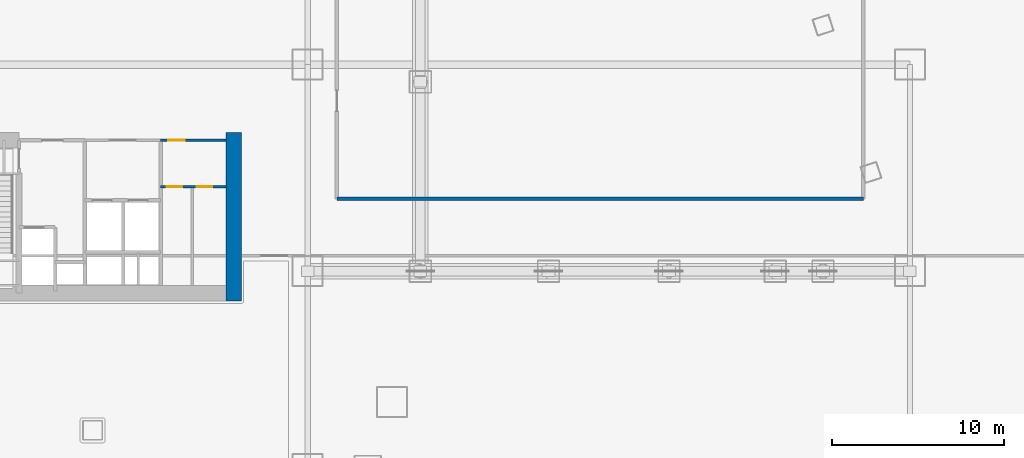
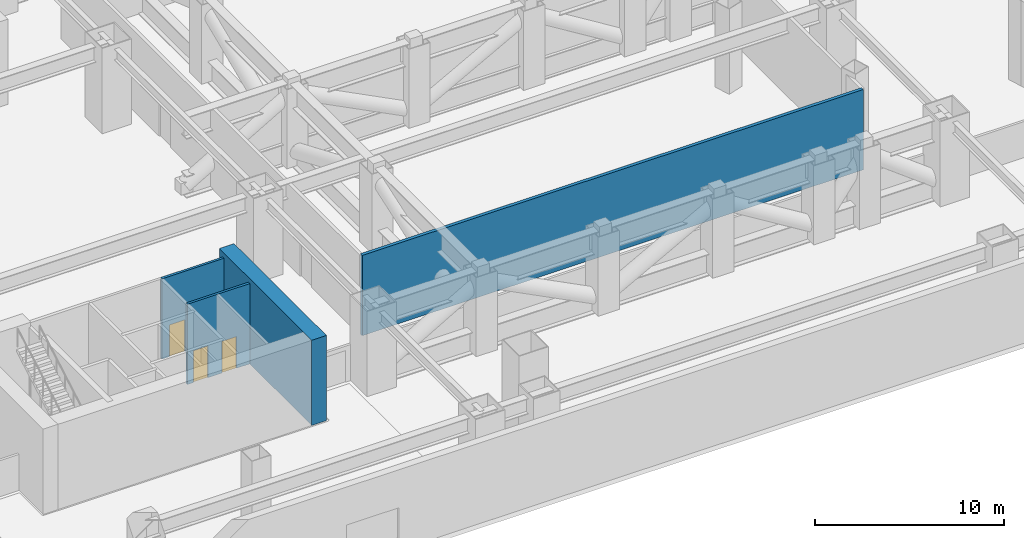
# One storey, part 25 of 34: 4 walls, 3 doors, 3 openings.
"""IFC4 building model written with IfcOpenShell, lengths in metres."""

import ifcopenshell
import ifcopenshell.guid

model = None  # the IFC model being written
_history = None  # IfcOwnerHistory: only IFC2X3 demands one
_inside = {}  # id of a spatial element -> (the spatial element, [elements in it])
_under = {}  # id of a project, library or spatial element -> (it, [spatial elements below it])
_declared = {}  # id of a project -> (the project, [libraries it declares])
_typed = {}  # id of a type object -> (the type object, [elements of that type])
_made_of = {}  # id of a material, layer set ... -> (it, [elements and type objects made of it])


def new_model(schema):
    """Start an empty IFC model of exactly this schema.

    Asked for "IFC4X3", IfcOpenShell would pick the latest addendum, in which some entities
    have other attributes; the version numbers below select the first issue.
    IFC2X3 requires an IfcOwnerHistory on every rooted entity: one is made here for all.
    """
    global model, _history
    if schema == "IFC4X3":
        model = ifcopenshell.file(schema_version=(4, 3, 0, 0))
    else:
        model = ifcopenshell.file(schema=schema)
    _inside.clear()
    _under.clear()
    _declared.clear()
    _typed.clear()
    _made_of.clear()
    _history = None
    if model.schema == "IFC2X3":
        org = make("IfcOrganization", Name="unknown")
        user = make(
            "IfcPersonAndOrganization",
            ThePerson=make("IfcPerson", FamilyName="unknown"),
            TheOrganization=org,
        )
        app = make(
            "IfcApplication",
            ApplicationDeveloper=org,
            Version="unknown",
            ApplicationFullName="unknown",
            ApplicationIdentifier="unknown",
        )
        _history = make(
            "IfcOwnerHistory",
            OwningUser=user,
            OwningApplication=app,
            ChangeAction="ADDED",
            CreationDate=0,
        )
    return model


def make(cls, **values):
    """One entity of the class cls with the attributes given. An attribute that is None is left unset."""
    return model.create_entity(
        cls, **{name: value for name, value in values.items() if value is not None}
    )


def rooted(cls, **values):
    """An entity with a GlobalId (a new one), such as an element, a storey or a relation."""
    return make(cls, GlobalId=ifcopenshell.guid.new(), OwnerHistory=_history, **values)


def si_unit(unit_type, name, prefix=None):
    """IfcSIUnit, for example si_unit("LENGTHUNIT", "METRE", prefix="MILLI")."""
    return make("IfcSIUnit", UnitType=unit_type, Prefix=prefix, Name=name)


def assignment(units):
    """IfcUnitAssignment: the units of a project."""
    return None if units is None else make("IfcUnitAssignment", Units=units)


def point(xyz):
    """IfcCartesianPoint."""
    return None if xyz is None else make("IfcCartesianPoint", Coordinates=xyz)


def direction(xyz):
    """IfcDirection."""
    return None if xyz is None else make("IfcDirection", DirectionRatios=xyz)


def frame(location, z_axis=None, x_axis=None):
    """IfcAxis2Placement3D, a coordinate frame: its origin and axes. An axis left out is left unset."""
    return make(
        "IfcAxis2Placement3D",
        Location=point(location),
        Axis=direction(z_axis),
        RefDirection=direction(x_axis),
    )


def frame_2d(location, x_axis=None):
    """IfcAxis2Placement2D, a coordinate frame in the plane: its origin and x axis."""
    return make(
        "IfcAxis2Placement2D", Location=point(location), RefDirection=direction(x_axis)
    )


def origin():
    """The frame at (0, 0, 0) with its axes left unset."""
    return frame((0.0, 0.0, 0.0))


def place(relative_to, where):
    """IfcLocalPlacement: puts the frame where relative to a parent placement (None: the world)."""
    return make(
        "IfcLocalPlacement", PlacementRelTo=relative_to, RelativePlacement=where
    )


def context(
    kind, dimensions, precision=None, world=None, true_north=None, identifier=None
):
    """IfcGeometricRepresentationContext, for example the 3D "Model" context."""
    return make(
        "IfcGeometricRepresentationContext",
        ContextIdentifier=identifier,
        ContextType=kind,
        CoordinateSpaceDimension=dimensions,
        Precision=precision,
        WorldCoordinateSystem=world,
        TrueNorth=true_north,
    )


def subcontext(parent, identifier, kind, view, scale=None):
    """IfcGeometricRepresentationSubContext, for example "Body" below "Model"."""
    return make(
        "IfcGeometricRepresentationSubContext",
        ContextIdentifier=identifier,
        ContextType=kind,
        ParentContext=parent,
        TargetScale=scale,
        TargetView=view,
    )


def project(units=None, contexts=None):
    """IfcProject with its units and contexts."""
    return rooted(
        "IfcProject",
        Name="project",
        RepresentationContexts=contexts,
        UnitsInContext=assignment(units),
    )


def spatial(cls, under=None, at=None, **own):
    """A site, building, storey or space (cls), placed at a placement, below another one or the project."""
    s = rooted(cls, ObjectPlacement=at, **own)
    if under is not None:
        _under.setdefault(under.id(), (under, []))[1].append(s)
    return s


def profile(cls, at=None, kind="AREA", **sizes):
    """A parametric profile (cls). Its sizes go by their IFC names, for example OverallWidth=200.0."""
    return make(cls, ProfileType=kind, Position=at, **sizes)


def rectangle(**sizes):
    """IfcRectangleProfileDef."""
    return profile("IfcRectangleProfileDef", **sizes)


def extrude(swept, where, along, depth):
    """IfcExtrudedAreaSolid: the profile swept, set in the frame where, extruded along a direction by depth."""
    return make(
        "IfcExtrudedAreaSolid",
        SweptArea=swept,
        Position=where,
        ExtrudedDirection=direction(along),
        Depth=depth,
    )


def shape(context_of_items, identifier, shape_type, items):
    """IfcShapeRepresentation: the items that make up one representation, for example the "Body"."""
    return make(
        "IfcShapeRepresentation",
        ContextOfItems=context_of_items,
        RepresentationIdentifier=identifier,
        RepresentationType=shape_type,
        Items=items,
    )


def material(Name=None, Category=None):
    """IfcMaterial."""
    return make("IfcMaterial", Name=Name, Category=Category)


def layer(
    of_material, thickness, ventilated=None, Name=None, Category=None, Priority=None
):
    """IfcMaterialLayer: one layer of a wall or slab, of a material (None: an air gap)."""
    return make(
        "IfcMaterialLayer",
        Material=of_material,
        LayerThickness=thickness,
        IsVentilated=ventilated,
        Name=Name,
        Category=Category,
        Priority=Priority,
    )


def layer_set(layers, Name=None):
    """IfcMaterialLayerSet."""
    return make("IfcMaterialLayerSet", MaterialLayers=layers, LayerSetName=Name)


def made_of(thing, what):
    """Note that an element or type object is made of a material, layer set ...; save() writes the relation."""
    if what is not None:
        _made_of.setdefault(what.id(), (what, []))[1].append(thing)
    return thing


def type_object(cls, material=None, **own):
    """A type object (cls), such as IfcWallType, which elements share."""
    return made_of(rooted(cls, **own), material)


def element(
    cls,
    number,
    at=None,
    inside=None,
    cuts=None,
    type_object=None,
    material=None,
    context=None,
    identifier="Body",
    shape_type=None,
    held_by="IfcProductDefinitionShape",
    body=None,
    shapes=None,
    **own,
):
    """One element of the class cls, such as IfcWall. Its Tag is "e" and its number.

    at: its placement. inside: the storey or other place that contains it. cuts: it is an
    opening in that element (IfcRelVoidsElement). A single representation is given by context,
    identifier, shape_type and body (its items); several are given by shapes. held_by: the class
    of the entity that holds the representations. save() writes the other relations.
    """
    e = rooted(cls, Tag="e%d" % number, ObjectPlacement=at, **own)
    if body is not None:
        shapes = [shape(context, identifier, shape_type, body)]
    if shapes is not None:
        e.Representation = make(held_by, Representations=shapes)
    if inside is not None:
        _inside.setdefault(inside.id(), (inside, []))[1].append(e)
    if cuts is not None:
        rooted(
            "IfcRelVoidsElement", RelatingBuildingElement=cuts, RelatedOpeningElement=e
        )
    if type_object is not None:
        _typed.setdefault(type_object.id(), (type_object, []))[1].append(e)
    return made_of(e, material)


def fill(opening, filler):
    """IfcRelFillsElement: the door or window that sits in an opening."""
    return rooted(
        "IfcRelFillsElement",
        RelatingOpeningElement=opening,
        RelatedBuildingElement=filler,
    )


def aggregate(whole, parts):
    """IfcRelAggregates: a whole, such as a stair, and the parts it consists of."""
    return rooted("IfcRelAggregates", RelatingObject=whole, RelatedObjects=parts)


def save(model, path):
    """Write the relations noted so far, then the file.

    IfcRelAggregates (storeys below a building ...), IfcRelContainedInSpatialStructure (elements
    in a storey), IfcRelDefinesByType, IfcRelAssociatesMaterial and IfcRelDeclares: one each for
    every whole, place, type object, material and project.
    """
    for whole, parts in _under.values():
        aggregate(whole, parts)
    for where, things in _inside.values():
        rooted(
            "IfcRelContainedInSpatialStructure",
            RelatedElements=things,
            RelatingStructure=where,
        )
    for kind, things in _typed.values():
        rooted("IfcRelDefinesByType", RelatedObjects=things, RelatingType=kind)
    for what, things in _made_of.values():
        rooted("IfcRelAssociatesMaterial", RelatedObjects=things, RelatingMaterial=what)
    for by, libraries in _declared.values():
        rooted("IfcRelDeclares", RelatingContext=by, RelatedDefinitions=libraries)
    model.write(path)


model = new_model("IFC4")

# Units and contexts
model_context = context("Model", 3, precision=1e-05, world=origin(), true_north=direction((0.0, 1.0)))
body_context = subcontext(model_context, "Body", "Model", "MODEL_VIEW")
ifc_project = project(units=[si_unit("LENGTHUNIT", "METRE"), si_unit("AREAUNIT", "SQUARE_METRE"), si_unit("VOLUMEUNIT", "CUBIC_METRE"), si_unit("PLANEANGLEUNIT", "RADIAN"), si_unit("MASSUNIT", "GRAM", prefix="KILO")], contexts=[model_context])

# Site, building, storey
site_placement = place(None, origin())
site = spatial("IfcSite", under=ifc_project, at=site_placement, CompositionType="ELEMENT")
building_placement = place(site_placement, origin())
building = spatial("IfcBuilding", under=site, at=building_placement, Name="Qiaolan Cultural Towers", CompositionType="ELEMENT")
storey_placement = place(building_placement, frame((0.0, 0.0, 16.5)))
storey = spatial("IfcBuildingStorey", under=building, at=storey_placement, Name="L03", CompositionType="ELEMENT", Elevation=16.5)

# Walls
ifc_material_1 = material(Name="Concrete C60", Category="concrete")
ifc_layer_1 = layer(ifc_material_1, 0.89990234375)
ifc_layer_set_1 = layer_set([ifc_layer_1], Name="Concrete C60")
wall_type_1 = type_object("IfcWallType", Name="WL-CORE-900", PredefinedType="SHEAR", material=ifc_layer_set_1)
wall_1_placement = place(storey_placement, frame((38.199951171875, 22.050048828125, 0.0), z_axis=(0.0, 0.0, 1.0), x_axis=(0.0, -1.0, 0.0)))
element("IfcWall", 1, at=wall_1_placement, inside=storey, type_object=wall_type_1, Name="L03 T1-CS East Core Shear Wall", PredefinedType="SHEAR", context=body_context, shape_type="SweptSolid", body=[
    extrude(rectangle(XDim=9.780029296875, YDim=0.89990234375, at=frame_2d((4.89013671875, 0.0))), origin(), (0.0, 0.0, 1.0), 5.5),
])
ifc_material_2 = material(Name="Concrete C35 Fire Wall", Category="concrete")
ifc_layer_2 = layer(ifc_material_2, 0.199951171875)
ifc_layer_set_2 = layer_set([ifc_layer_2], Name="Concrete C35 Fire Wall")
wall_type_2 = type_object("IfcWallType", Name="WL-FIRE-200", PredefinedType="PARTITIONING", material=ifc_layer_set_2)
wall_2_placement = place(storey_placement, frame((44.199951171875, 18.199951171875, 0.0), z_axis=(0.0, 0.0, 1.0), x_axis=(1.0, 0.0, 0.0)))
element("IfcWall", 2, at=wall_2_placement, inside=storey, type_object=wall_type_2, Name="L03 Podium Partition L03-TRS", PredefinedType="PARTITIONING", context=body_context, shape_type="SweptSolid", body=[
    extrude(rectangle(XDim=30.60009765625, YDim=0.199951171875, at=frame_2d((15.300048828125, 0.0))), origin(), (0.0, 0.0, 1.0), 5.18505859375),
])

# Wall, opening, door
ifc_material_3 = material(Name="Autoclaved Aerated Concrete Block B06", Category="concrete")
ifc_layer_3 = layer(ifc_material_3, 0.14990234375)
ifc_layer_set_3 = layer_set([ifc_layer_3], Name="Autoclaved Aerated Concrete Block B06")
wall_type_3 = type_object("IfcWallType", Name="WL-PART-150", PredefinedType="PARTITIONING", material=ifc_layer_set_3)
wall_3_placement = place(storey_placement, frame((33.949951171875, 21.60009765625, 0.0), z_axis=(0.0, 0.0, 1.0), x_axis=(1.0, 0.0, 0.0)))
wall_3 = element("IfcWall", 3, at=wall_3_placement, inside=storey, type_object=wall_type_3, Name="L03 T1-CS Sanitary Core Front Wall", PredefinedType="PARTITIONING", context=body_context, shape_type="SweptSolid", body=[
    extrude(rectangle(XDim=3.800048828125, YDim=0.14990234375, at=frame_2d((1.89990234375, 0.0))), origin(), (0.0, 0.0, 1.0), 5.18505859375),
])
opening_1_placement = place(wall_3_placement, frame((0.449951171875, 0.0, 0.0)))
opening_1 = element("IfcOpeningElement", 4, at=opening_1_placement, cuts=wall_3, Name="Opening ID-05", PredefinedType="OPENING", context=body_context, shape_type="SweptSolid", body=[
    extrude(rectangle(XDim=0.949951171875, YDim=2.050048828125, at=frame_2d((0.47509765625, 1.02490234375))), frame((0.0, 0.0849609375, 0.0), z_axis=(0.0, -1.0, 0.0), x_axis=(1.0, 0.0, 0.0)), (0.0, 0.0, 1.0), 0.169921875),
])
ifc_material_4 = material(Name="Fire-Rated Laminate Accessible Core Door", Category="timber")
door_type_1 = type_object("IfcDoorType", Name="DR-INT-950", OperationType="NOTDEFINED", PredefinedType="DOOR", material=ifc_material_4)
door_1_placement = place(opening_1_placement, origin())
door_1 = element("IfcDoor", 5, at=door_1_placement, inside=storey, type_object=door_type_1, Name="L03 Sanitary Vestibule Door", OperationType="SINGLE_SWING_LEFT", OverallHeight=2.050048828125, OverallWidth=0.949951171875, PredefinedType="DOOR", context=body_context, shape_type="SweptSolid", body=[
    extrude(rectangle(XDim=0.949951171875, YDim=2.050048828125, at=frame_2d((0.47509765625, 1.02490234375))), frame((0.0, 0.02490234375, 0.0), z_axis=(0.0, -1.0, 0.0), x_axis=(1.0, 0.0, 0.0)), (0.0, 0.0, 1.0), 0.050048828125),
])
fill(opening_1, door_1)

# Wall, openings, doors
wall_4_placement = place(storey_placement, frame((33.949951171875, 18.89990234375, 0.0), z_axis=(0.0, 0.0, 1.0), x_axis=(1.0, 0.0, 0.0)))
wall_4 = element("IfcWall", 6, at=wall_4_placement, inside=storey, type_object=wall_type_3, Name="L03 T1-CS Restroom Vestibule Wall", PredefinedType="PARTITIONING", context=body_context, shape_type="SweptSolid", body=[
    extrude(rectangle(XDim=3.800048828125, YDim=0.14990234375, at=frame_2d((1.89990234375, 0.0))), origin(), (0.0, 0.0, 1.0), 5.18505859375),
])
opening_2_placement = place(wall_4_placement, frame((0.35009765625, 0.0, 0.0)))
opening_2 = element("IfcOpeningElement", 7, at=opening_2_placement, cuts=wall_4, Name="Opening ID-06", PredefinedType="OPENING", context=body_context, shape_type="SweptSolid", body=[
    extrude(rectangle(XDim=0.89990234375, YDim=2.050048828125, at=frame_2d((0.449951171875, 1.02490234375))), frame((0.0, 0.0849609375, 0.0), z_axis=(0.0, -1.0, 0.0), x_axis=(1.0, 0.0, 0.0)), (0.0, 0.0, 1.0), 0.169921875),
])
opening_3_placement = place(wall_4_placement, frame((2.10009765625, 0.0, 0.0)))
opening_3 = element("IfcOpeningElement", 8, at=opening_3_placement, cuts=wall_4, Name="Opening ID-06", PredefinedType="OPENING", context=body_context, shape_type="SweptSolid", body=[
    extrude(rectangle(XDim=0.89990234375, YDim=2.050048828125, at=frame_2d((0.449951171875, 1.02490234375))), frame((0.0, 0.0849609375, 0.0), z_axis=(0.0, -1.0, 0.0), x_axis=(1.0, 0.0, 0.0)), (0.0, 0.0, 1.0), 0.169921875),
])
ifc_material_5 = material(Name="Fire-Rated Laminate Core Service Door", Category="timber")
door_type_2 = type_object("IfcDoorType", Name="DR-INT-900", OperationType="NOTDEFINED", PredefinedType="DOOR", material=ifc_material_5)
door_2_placement = place(opening_2_placement, origin())
door_2 = element("IfcDoor", 9, at=door_2_placement, inside=storey, type_object=door_type_2, Name="L03 Men Restroom Door", OperationType="SINGLE_SWING_LEFT", OverallHeight=2.050048828125, OverallWidth=0.89990234375, PredefinedType="DOOR", context=body_context, shape_type="SweptSolid", body=[
    extrude(rectangle(XDim=0.89990234375, YDim=2.050048828125, at=frame_2d((0.449951171875, 1.02490234375))), frame((0.0, 0.02490234375, 0.0), z_axis=(0.0, -1.0, 0.0), x_axis=(1.0, 0.0, 0.0)), (0.0, 0.0, 1.0), 0.050048828125),
])
fill(opening_2, door_2)
door_3_placement = place(opening_3_placement, origin())
door_3 = element("IfcDoor", 10, at=door_3_placement, inside=storey, type_object=door_type_2, Name="L03 Accessible & Women Restroom Door", OperationType="SINGLE_SWING_RIGHT", OverallHeight=2.050048828125, OverallWidth=0.89990234375, PredefinedType="DOOR", context=body_context, shape_type="SweptSolid", body=[
    extrude(rectangle(XDim=0.89990234375, YDim=2.050048828125, at=frame_2d((0.449951171875, 1.02490234375))), frame((0.0, 0.02490234375, 0.0), z_axis=(0.0, -1.0, 0.0), x_axis=(1.0, 0.0, 0.0)), (0.0, 0.0, 1.0), 0.050048828125),
])
fill(opening_3, door_3)

save(model, "model.ifc")
